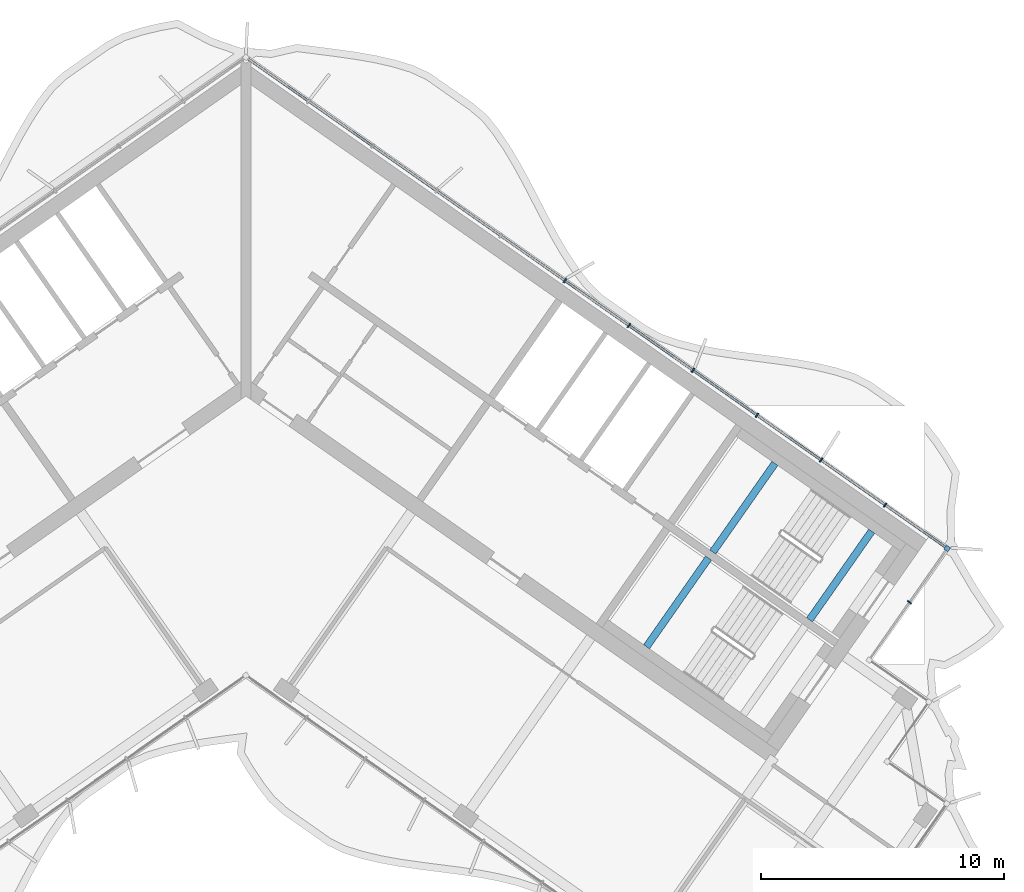
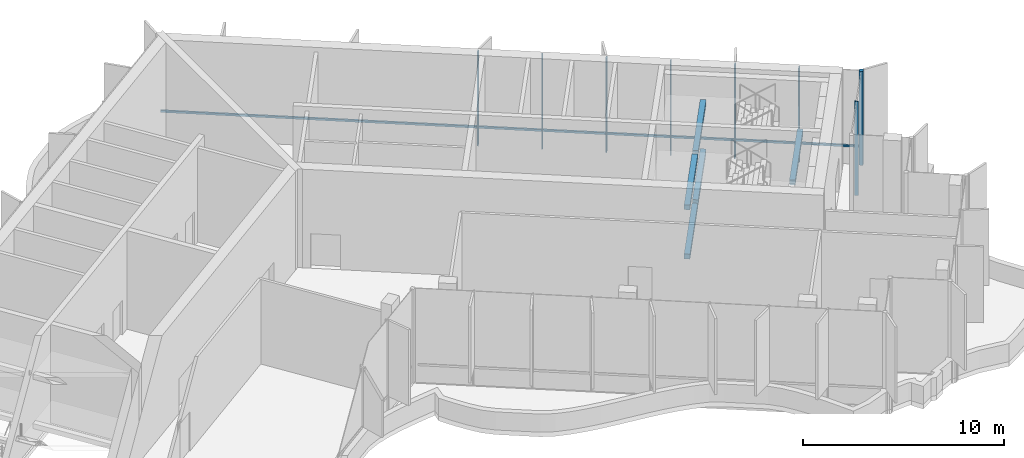
# One storey, part 5 of 18: 9 members, 5 beams, 1 element without a shape of its own.
"""IFC4 building model written with IfcOpenShell, lengths in metres."""

from ifc_helpers import new_model, si_unit, direction, frame, origin, origin_2d, place, context, subcontext, project, spatial, rectangle, extrude, material, material_profile, profile_set, type_object, element, aggregate, save


model = new_model("IFC4")

# Units and contexts
model_context = context("Model", 3, precision=1e-05, world=origin(), true_north=direction((0.0, 1.0)))
body_context = subcontext(model_context, "Body", "Model", "MODEL_VIEW")
ifc_project = project(units=[si_unit("LENGTHUNIT", "METRE"), si_unit("AREAUNIT", "SQUARE_METRE"), si_unit("VOLUMEUNIT", "CUBIC_METRE"), si_unit("PLANEANGLEUNIT", "RADIAN"), si_unit("MASSUNIT", "GRAM", prefix="KILO")], contexts=[model_context])

# Site, building, storey
site_placement = place(None, origin())
site = spatial("IfcSite", under=ifc_project, at=site_placement, CompositionType="ELEMENT")
building_placement = place(site_placement, origin())
building = spatial("IfcBuilding", under=site, at=building_placement, Name="Tel Ilan Convention Tower", CompositionType="ELEMENT")
storey_placement = place(building_placement, frame((0.0, 0.0, 307.300048828125)))
storey = spatial("IfcBuildingStorey", under=building, at=storey_placement, Name="L73", CompositionType="ELEMENT", Elevation=307.300048828125)

# Curtain wall, members
ifc_material_1 = material(Name="Aluminium, bronze anodised", Category="aluminium")
curtain_wall_type = type_object("IfcCurtainWallType", Name="CW2 STICK CURTAIN WALL, SPANDREL PANELS", PredefinedType="NOTDEFINED", material=ifc_material_1)
curtain_wall_placement = place(storey_placement, origin())
curtain_wall = element("IfcCurtainWall", 1, at=curtain_wall_placement, inside=storey, type_object=curtain_wall_type, Name="Curtain wall CW2-55.01", PredefinedType="NOTDEFINED")
ifc_material_2 = material(Name="Aluminium, bronze anodised", Category="aluminium")
ifc_material_profile_1 = material_profile(ifc_material_2, rectangle(XDim=0.199951171875, YDim=0.199951171875, at=origin_2d()), Name="CW CORNER MULLION 200x200")
ifc_profile_set_1 = profile_set([ifc_material_profile_1], Name="Aluminium, bronze anodised")
member_type_1 = type_object("IfcMemberType", Name="CW CORNER MULLION 200x200", PredefinedType="MULLION", material=ifc_profile_set_1)
member_1_placement = place(storey_placement, frame((28.819580078125, -7.483642578125, 0.0), z_axis=(0.0, 0.0, 1.0), x_axis=(0.573576436351, 0.819152044289, 0.0)))
member_1 = element("IfcMember", 2, at=member_1_placement, type_object=member_type_1, Name="Corner mullion", PredefinedType="MULLION", context=body_context, shape_type="SweptSolid", body=[
    extrude(rectangle(XDim=0.199951171875, YDim=0.199951171875, at=origin_2d()), origin(), (0.0, 0.0, 1.0), 5.719970703125),
])
ifc_material_3 = material(Name="Aluminium, bronze anodised", Category="aluminium")
ifc_material_profile_2 = material_profile(ifc_material_3, rectangle(XDim=0.06005859375, YDim=0.199951171875, at=origin_2d()), Name="CW MULLION 60x200")
ifc_profile_set_2 = profile_set([ifc_material_profile_2], Name="Aluminium, bronze anodised")
member_type_2 = type_object("IfcMemberType", Name="CW MULLION 60x200", PredefinedType="MULLION", material=ifc_profile_set_2)
member_2_placement = place(storey_placement, frame((27.27099609375, -9.6953125, 0.0), z_axis=(0.0, 0.0, 1.0), x_axis=(0.573576436351, 0.819152044289, 0.0)))
member_2 = element("IfcMember", 3, at=member_2_placement, type_object=member_type_2, Name="Mullion", PredefinedType="MULLION", context=body_context, shape_type="SweptSolid", body=[
    extrude(rectangle(XDim=0.06005859375, YDim=0.199951171875, at=origin_2d()), origin(), (0.0, 0.0, 1.0), 5.719970703125),
])
member_3_placement = place(storey_placement, frame((26.268798828125, -5.697509765625, 0.0), z_axis=(0.0, 0.0, 1.0), x_axis=(-0.819152044289, 0.573576436351, 0.0)))
member_3 = element("IfcMember", 4, at=member_3_placement, type_object=member_type_2, Name="Mullion", PredefinedType="MULLION", context=body_context, shape_type="SweptSolid", body=[
    extrude(rectangle(XDim=0.06005859375, YDim=0.199951171875, at=origin_2d()), origin(), (0.0, 0.0, 1.0), 5.719970703125),
])
member_4_placement = place(storey_placement, frame((23.63623046875, -3.854248046875, 0.0), z_axis=(0.0, 0.0, 1.0), x_axis=(-0.819152044289, 0.573576436351, 0.0)))
member_4 = element("IfcMember", 5, at=member_4_placement, type_object=member_type_2, Name="Mullion", PredefinedType="MULLION", context=body_context, shape_type="SweptSolid", body=[
    extrude(rectangle(XDim=0.06005859375, YDim=0.199951171875, at=origin_2d()), origin(), (0.0, 0.0, 1.0), 5.719970703125),
])
member_5_placement = place(storey_placement, frame((21.003662109375, -2.0107421875, 0.0), z_axis=(0.0, 0.0, 1.0), x_axis=(-0.819152044289, 0.573576436351, 0.0)))
member_5 = element("IfcMember", 6, at=member_5_placement, type_object=member_type_2, Name="Mullion", PredefinedType="MULLION", context=body_context, shape_type="SweptSolid", body=[
    extrude(rectangle(XDim=0.06005859375, YDim=0.199951171875, at=origin_2d()), origin(), (0.0, 0.0, 1.0), 5.719970703125),
])
member_6_placement = place(storey_placement, frame((18.37109375, -0.16748046875, 0.0), z_axis=(0.0, 0.0, 1.0), x_axis=(-0.819152044289, 0.573576436351, 0.0)))
member_6 = element("IfcMember", 7, at=member_6_placement, type_object=member_type_2, Name="Mullion", PredefinedType="MULLION", context=body_context, shape_type="SweptSolid", body=[
    extrude(rectangle(XDim=0.06005859375, YDim=0.199951171875, at=origin_2d()), origin(), (0.0, 0.0, 1.0), 5.719970703125),
])
member_7_placement = place(storey_placement, frame((15.73828125, 1.676025390625, 0.0), z_axis=(0.0, 0.0, 1.0), x_axis=(-0.819152044289, 0.573576436351, 0.0)))
member_7 = element("IfcMember", 8, at=member_7_placement, type_object=member_type_2, Name="Mullion", PredefinedType="MULLION", context=body_context, shape_type="SweptSolid", body=[
    extrude(rectangle(XDim=0.06005859375, YDim=0.199951171875, at=origin_2d()), origin(), (0.0, 0.0, 1.0), 5.719970703125),
])
member_8_placement = place(storey_placement, frame((13.105712890625, 3.519287109375, 0.0), z_axis=(0.0, 0.0, 1.0), x_axis=(-0.819152044289, 0.573576436351, 0.0)))
member_8 = element("IfcMember", 9, at=member_8_placement, type_object=member_type_2, Name="Mullion", PredefinedType="MULLION", context=body_context, shape_type="SweptSolid", body=[
    extrude(rectangle(XDim=0.06005859375, YDim=0.199951171875, at=origin_2d()), origin(), (0.0, 0.0, 1.0), 5.719970703125),
])
ifc_material_4 = material(Name="Aluminium, bronze anodised", Category="aluminium")
ifc_material_profile_3 = material_profile(ifc_material_4, rectangle(XDim=0.10009765625, YDim=0.1201171875, at=origin_2d()), Name="CW TRANSOM 100x120")
ifc_profile_set_3 = profile_set([ifc_material_profile_3], Name="Aluminium, bronze anodised")
member_type_3 = type_object("IfcMemberType", Name="CW TRANSOM 100x120", PredefinedType="USERDEFINED", material=ifc_profile_set_3)
member_9_placement = place(storey_placement, frame((28.737548828125, -7.42626953125, 1.099853515625), z_axis=(-0.819150201937, 0.573579067494, 0.0), x_axis=(-0.573579067494, -0.819150201937, 0.0)))
member_9 = element("IfcMember", 10, at=member_9_placement, type_object=member_type_3, Name="Transom", ObjectType="TRANSOM", PredefinedType="USERDEFINED", context=body_context, shape_type="SweptSolid", body=[
    extrude(rectangle(XDim=0.10009765625, YDim=0.1201171875, at=origin_2d()), origin(), (0.0, 0.0, 1.0), 34.9521484375),
])
aggregate(curtain_wall, [member_2, member_1, member_3, member_4, member_5, member_6, member_7, member_8, member_9])

# Beams
ifc_material_5 = material(Name="Concrete C40/50", Category="concrete")
ifc_material_profile_4 = material_profile(ifc_material_5, rectangle(XDim=0.300048828125, YDim=0.300048828125, at=origin_2d()), Name="RC 300x300")
ifc_profile_set_4 = profile_set([ifc_material_profile_4], Name="Concrete C40/50")
beam_type = type_object("IfcBeamType", Name="Landing Beam RC 300x300 Concrete C40/50", PredefinedType="BEAM", material=ifc_profile_set_4)
beam_1_placement = place(storey_placement, frame((21.738037109375, -3.989990234375, 1.14990234375), z_axis=(-0.573547030514, -0.819172633691, 0.0), x_axis=(0.819172633691, -0.573547030514, 0.0)))
element("IfcBeam", 11, at=beam_1_placement, inside=storey, type_object=beam_type, Name="S3 landing beam L73.1", PredefinedType="BEAM", context=body_context, shape_type="SweptSolid", body=[
    extrude(rectangle(XDim=0.300048828125, YDim=0.300048828125, at=origin_2d()), origin(), (0.0, 0.0, 1.0), 4.449951171875),
])
beam_2_placement = place(storey_placement, frame((25.71435546875, -6.7744140625, 2.64990234375), z_axis=(-0.573572808308, -0.81915458466, 0.0), x_axis=(0.81915458466, -0.573572808308, 0.0)))
element("IfcBeam", 12, at=beam_2_placement, inside=storey, type_object=beam_type, Name="S3 landing beam L73.2", PredefinedType="BEAM", context=body_context, shape_type="SweptSolid", body=[
    extrude(rectangle(XDim=0.300048828125, YDim=0.300048828125, at=origin_2d()), origin(), (0.0, 0.0, 1.0), 4.44970703125),
])
for number, where, z_axis, x_axis, name in (
    (13, (21.738037109375, -3.989990234375, 4.14990234375), (-0.573547030514, -0.819172633691, 0.0), (0.819172633691, -0.573547030514, 0.0), "S3 landing beam L73.3"),
    (14, (19.013671875, -7.881103515625, 1.14990234375), (-0.573609622671, -0.819128805976, 0.0), (0.819128805976, -0.573609622671, 0.0), "S4 landing beam L73.1"),
    (15, (19.013671875, -7.881103515625, 4.14990234375), (-0.573609622671, -0.819128805976, 0.0), (0.819128805976, -0.573609622671, 0.0), "S4 landing beam L73.3"),
):
    element("IfcBeam", number, at=place(storey_placement, frame(where, z_axis=z_axis, x_axis=x_axis)), inside=storey, type_object=beam_type, Name=name, PredefinedType="BEAM", context=body_context, shape_type="SweptSolid", body=[
        extrude(rectangle(XDim=0.300048828125, YDim=0.300048828125, at=origin_2d()), origin(), (0.0, 0.0, 1.0), 4.449951171875),
    ])

save(model, "model.ifc")
